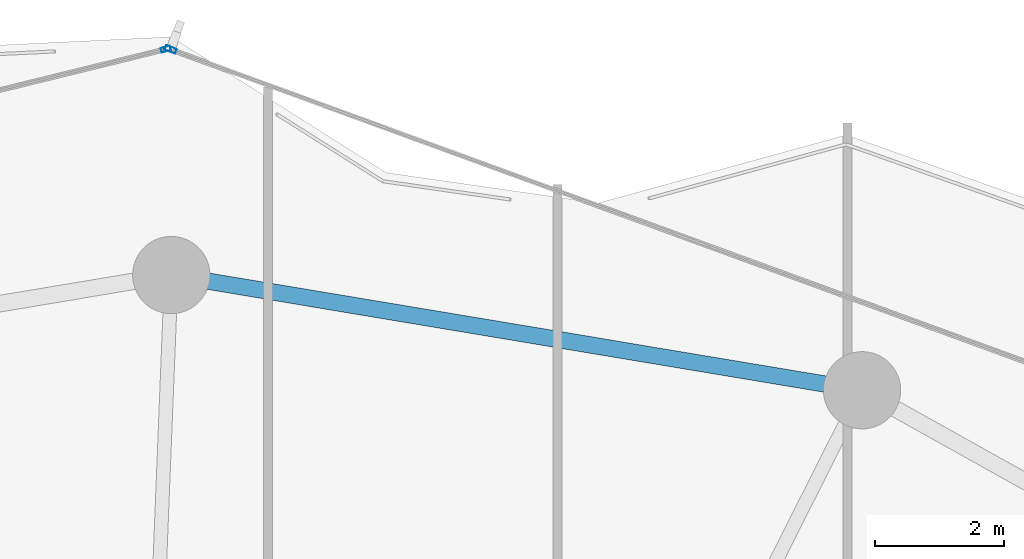
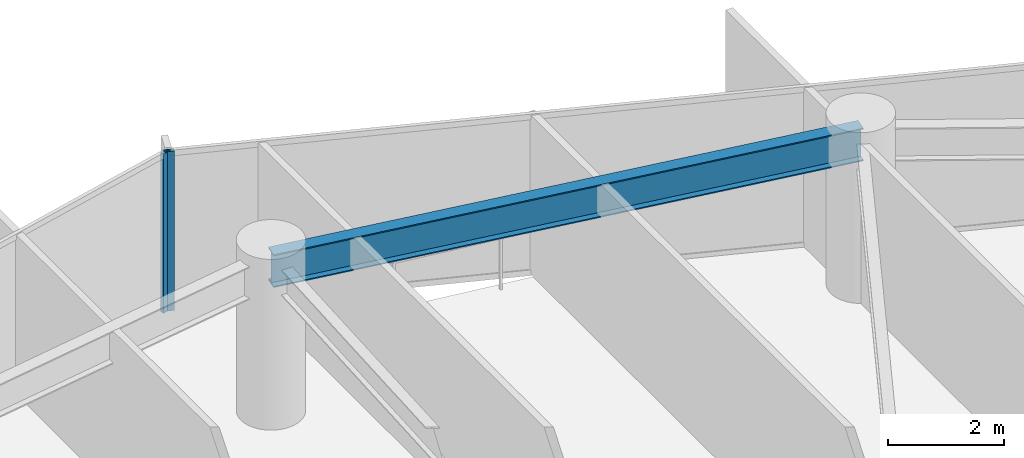
# One storey, part 19 of 28: 2 members, 1 beam, 2 elements without a shape of their own.
"""IFC4 building model written with IfcOpenShell, lengths in metres."""

from ifc_helpers import new_model, si_unit, direction, frame, origin, origin_2d, place, context, subcontext, project, spatial, hollow_rectangle, i_section, extrude, material, layer, layer_set, material_profile, profile_set, type_object, element, aggregate, save


model = new_model("IFC4")

# Units and contexts
model_context = context("Model", 3, precision=1e-05, world=origin(), true_north=direction((0.0, 1.0)))
body_context = subcontext(model_context, "Body", "Model", "MODEL_VIEW")
ifc_project = project(units=[si_unit("LENGTHUNIT", "METRE"), si_unit("AREAUNIT", "SQUARE_METRE"), si_unit("VOLUMEUNIT", "CUBIC_METRE"), si_unit("PLANEANGLEUNIT", "RADIAN"), si_unit("MASSUNIT", "GRAM", prefix="KILO")], contexts=[model_context])

# Site, building, storey
site_placement = place(None, origin())
site = spatial("IfcSite", under=ifc_project, at=site_placement, CompositionType="ELEMENT")
building_placement = place(site_placement, origin())
building = spatial("IfcBuilding", under=site, at=building_placement, Name="Kazevale Care Tower and Concert Hall", CompositionType="ELEMENT")
storey_placement = place(building_placement, frame((0.0, 0.0, 109.800048828125)))
storey = spatial("IfcBuildingStorey", under=building, at=storey_placement, Name="L28", CompositionType="ELEMENT", Elevation=109.800048828125)

# Curtain wall, member
ifc_material_1 = material(Name="Aluminium 6063-T6 and Low-E Glass", Category="aluminium")
ifc_layer_1 = layer(ifc_material_1, 0.179931640625)
ifc_layer_set_1 = layer_set([ifc_layer_1], Name="Aluminium 6063-T6 and Low-E Glass")
curtain_wall_type_1 = type_object("IfcCurtainWallType", Name="Convex Checkerboard Finned Curtain Wall CW-2", PredefinedType="NOTDEFINED", material=ifc_layer_set_1)
curtain_wall_1_placement = place(storey_placement, origin())
curtain_wall_1 = element("IfcCurtainWall", 1, at=curtain_wall_1_placement, inside=storey, type_object=curtain_wall_type_1, Name="cw:L28:f16", PredefinedType="NOTDEFINED")
ifc_material_2 = material(Name="Aluminium 6063-T6", Category="aluminium")
ifc_material_profile_1 = material_profile(ifc_material_2, hollow_rectangle(XDim=0.080078125, YDim=0.179931640625, WallThickness=0.0048828125, at=origin_2d()), Name="ALU80x180x5")
ifc_profile_set_1 = profile_set([ifc_material_profile_1], Name="Aluminium 6063-T6")
member_type_1 = type_object("IfcMemberType", Name="CW-2 Mullion ALU80x180x5", PredefinedType="MULLION", material=ifc_profile_set_1)
member_1_placement = place(storey_placement, frame((44.989501953125, 64.953369140625, 0.0), z_axis=(0.0, 0.0, 1.0), x_axis=(0.343143453498, 0.939283008641, 0.0)))
member_1 = element("IfcMember", 2, at=member_1_placement, type_object=member_type_1, Name="CW-2 mullion 1", PredefinedType="MULLION", context=body_context, shape_type="SweptSolid", body=[
    extrude(hollow_rectangle(XDim=0.080078125, YDim=0.179931640625, WallThickness=0.0048828125, at=origin_2d()), origin(), (0.0, 0.0, 1.0), 3.35986328125),
])
aggregate(curtain_wall_1, [member_1])

ifc_layer_2 = layer(ifc_material_1, 0.179931640625)
ifc_layer_set_2 = layer_set([ifc_layer_2], Name="Aluminium 6063-T6 and Low-E Glass")
curtain_wall_type_2 = type_object("IfcCurtainWallType", Name="Convex Recessed Sunroom Curtain Wall CW-3", PredefinedType="NOTDEFINED", material=ifc_layer_set_2)
curtain_wall_2_placement = place(storey_placement, origin())
curtain_wall_2 = element("IfcCurtainWall", 3, at=curtain_wall_2_placement, inside=storey, type_object=curtain_wall_type_2, Name="cw:L28:f15", PredefinedType="NOTDEFINED")
ifc_material_profile_2 = material_profile(ifc_material_2, hollow_rectangle(XDim=0.074951171875, YDim=0.14990234375, WallThickness=0.00390625, at=origin_2d()), Name="ALU75x150x4")
ifc_profile_set_2 = profile_set([ifc_material_profile_2], Name="Aluminium 6063-T6")
member_type_2 = type_object("IfcMemberType", Name="CW-3 Mullion ALU75x150x4", PredefinedType="MULLION", material=ifc_profile_set_2)
member_2_placement = place(storey_placement, frame((44.91552734375, 64.9580078125, 0.0), z_axis=(0.0, 0.0, 1.0), x_axis=(-0.239088999495, 0.970997657217, 0.0)))
member_2 = element("IfcMember", 4, at=member_2_placement, type_object=member_type_2, Name="CW-3 mullion 2", PredefinedType="MULLION", context=body_context, shape_type="SweptSolid", body=[
    extrude(hollow_rectangle(XDim=0.074951171875, YDim=0.14990234375, WallThickness=0.00390625, at=origin_2d()), origin(), (0.0, 0.0, 1.0), 3.35986328125),
])
aggregate(curtain_wall_2, [member_2])

# Beam
ifc_material_3 = material(Name="Steel ASTM A572 Gr 50", Category="steel")
ifc_material_profile_3 = material_profile(ifc_material_3, i_section(OverallWidth=0.256103515625, OverallDepth=0.693115234375, WebThickness=0.014404296875, FlangeThickness=0.023681640625, at=origin_2d()), Name="W690x170")
ifc_profile_set_3 = profile_set([ifc_material_profile_3], Name="Steel ASTM A572 Gr 50")
beam_type = type_object("IfcBeamType", Name="Waist Ring Beam W690x170", PredefinedType="BEAM", material=ifc_profile_set_3)
beam_placement = place(storey_placement, frame((55.72998046875, 59.659912109375, 3.013427734375), z_axis=(-0.986368436187, 0.164551840139, 0.0), x_axis=(-0.164551840139, -0.986368436187, 0.0)))
element("IfcBeam", 5, at=beam_placement, inside=storey, type_object=beam_type, Name="beam:L28:ring:04", PredefinedType="BEAM", context=body_context, shape_type="SweptSolid", body=[
    extrude(i_section(OverallWidth=0.256103515625, OverallDepth=0.693115234375, WebThickness=0.014404296875, FlangeThickness=0.023681640625, at=origin_2d()), origin(), (0.0, 0.0, 1.0), 10.878173828125),
])

save(model, "model.ifc")
